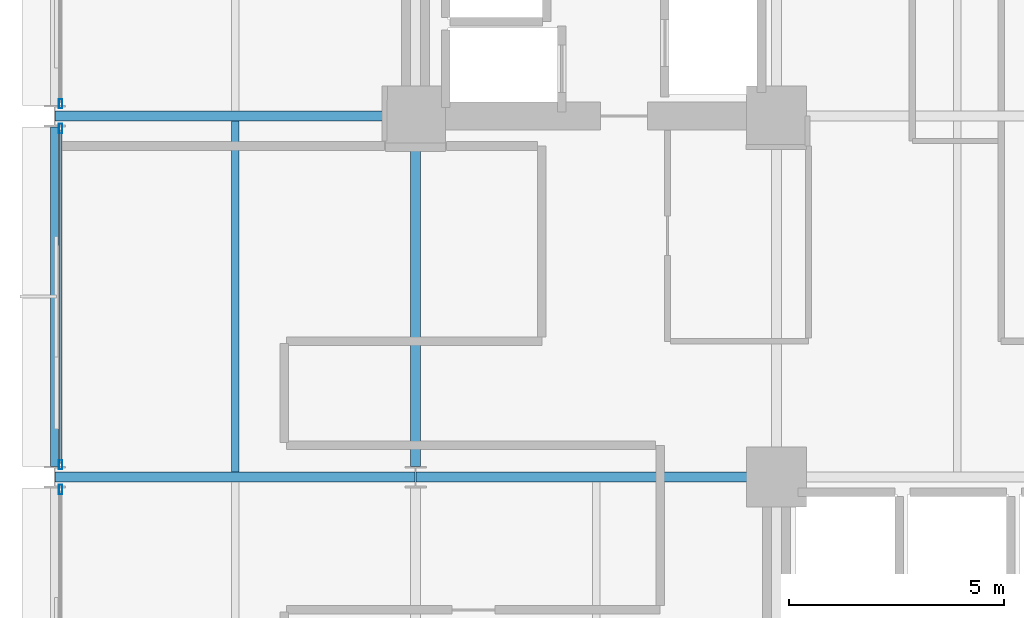
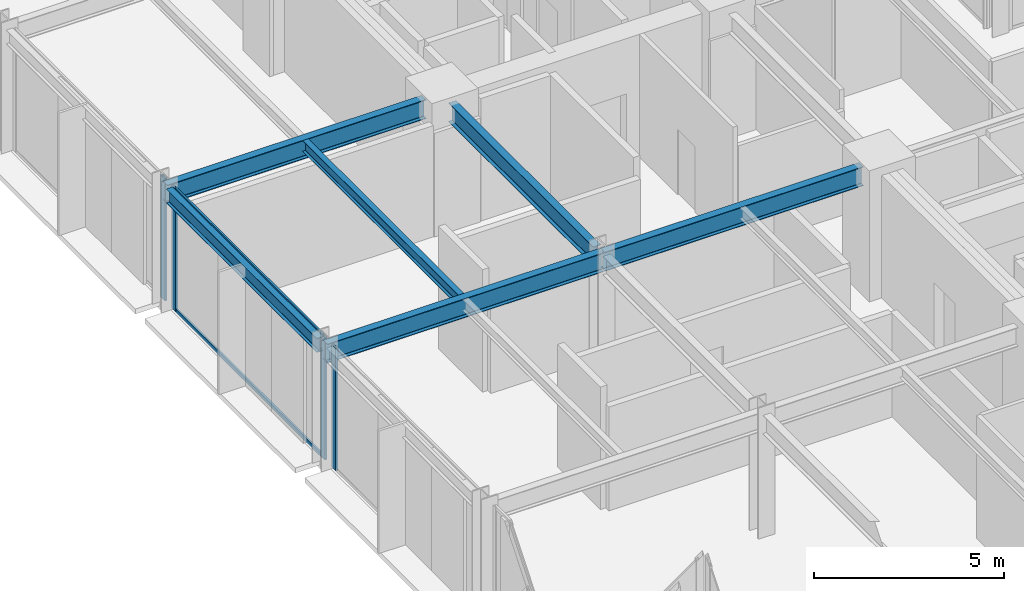
# One storey, part 8 of 30: 6 beams, 6 members, 3 elements without a shape of their own.
"""IFC4 building model written with IfcOpenShell, lengths in metres."""

from ifc_helpers import new_model, si_unit, direction, frame, origin, origin_2d, place, context, subcontext, project, spatial, hollow_rectangle, i_section, extrude, material, layer, layer_set, material_profile, profile_set, type_object, element, aggregate, save


model = new_model("IFC4")

# Units and contexts
model_context = context("Model", 3, precision=1e-05, world=origin(), true_north=direction((0.0, 1.0)))
body_context = subcontext(model_context, "Body", "Model", "MODEL_VIEW")
ifc_project = project(units=[si_unit("LENGTHUNIT", "METRE"), si_unit("AREAUNIT", "SQUARE_METRE"), si_unit("VOLUMEUNIT", "CUBIC_METRE"), si_unit("PLANEANGLEUNIT", "RADIAN"), si_unit("MASSUNIT", "GRAM", prefix="KILO")], contexts=[model_context])

# Site, building, storey
site_placement = place(None, origin())
site = spatial("IfcSite", under=ifc_project, at=site_placement, CompositionType="ELEMENT")
building_placement = place(site_placement, origin())
building = spatial("IfcBuilding", under=site, at=building_placement, Name="Nerrivon Quay Data Exchange", CompositionType="ELEMENT")
storey_placement = place(building_placement, frame((0.0, 0.0, 62.60009765625)))
storey = spatial("IfcBuildingStorey", under=building, at=storey_placement, Name="L14", CompositionType="ELEMENT", Elevation=62.60009765625)

# Beams
ifc_material_1 = material(Name="Steel Grade 350", Category="steel")
ifc_material_profile_1 = material_profile(ifc_material_1, i_section(OverallWidth=0.22900390625, OverallDepth=0.612060546875, WebThickness=0.011962890625, FlangeThickness=0.01953125, FilletRadius=0.013916015625, at=origin_2d()), Name="610UB125")
ifc_profile_set_1 = profile_set([ifc_material_profile_1], Name="Steel Grade 350")
beam_type_1 = type_object("IfcBeamType", Name="BM-G1-610UB125", PredefinedType="BEAM", material=ifc_profile_set_1)
beam_1_placement = place(storey_placement, frame((0.013916015625, 16.800048828125, 3.618896484375), z_axis=(1.0, 0.0, 0.0), x_axis=(0.0, 1.0, 0.0)))
element("IfcBeam", 1, at=beam_1_placement, inside=storey, type_object=beam_type_1, Name="L14 EW Girder Y=16.8 (0.0..8.4)", PredefinedType="BEAM", context=body_context, shape_type="SweptSolid", body=[
    extrude(i_section(OverallWidth=0.22900390625, OverallDepth=0.612060546875, WebThickness=0.011962890625, FlangeThickness=0.01953125, FilletRadius=0.013916015625, at=origin_2d()), origin(), (0.0, 0.0, 1.0), 8.3720703125),
])
beam_2_placement = place(storey_placement, frame((8.4140625, 16.800048828125, 3.618896484375), z_axis=(1.0, 0.0, 0.0), x_axis=(0.0, 1.0, 0.0)))
element("IfcBeam", 2, at=beam_2_placement, inside=storey, type_object=beam_type_1, Name="L14 EW Girder Y=16.8 (8.4..16.8)", PredefinedType="BEAM", context=body_context, shape_type="SweptSolid", body=[
    extrude(i_section(OverallWidth=0.22900390625, OverallDepth=0.612060546875, WebThickness=0.011962890625, FlangeThickness=0.01953125, FilletRadius=0.013916015625, at=origin_2d()), origin(), (0.0, 0.0, 1.0), 7.845947265625),
])
beam_3_placement = place(storey_placement, frame((0.013916015625, 25.199951171875, 3.618896484375), z_axis=(1.0, 0.0, 0.0), x_axis=(0.0, 1.0, 0.0)))
element("IfcBeam", 3, at=beam_3_placement, inside=storey, type_object=beam_type_1, Name="L14 EW Girder Y=25.2 (0.0..8.4)", PredefinedType="BEAM", context=body_context, shape_type="SweptSolid", body=[
    extrude(i_section(OverallWidth=0.22900390625, OverallDepth=0.612060546875, WebThickness=0.011962890625, FlangeThickness=0.01953125, FilletRadius=0.013916015625, at=origin_2d()), origin(), (0.0, 0.0, 1.0), 7.84619140625),
])
ifc_material_profile_2 = material_profile(ifc_material_1, i_section(OverallWidth=0.22802734375, OverallDepth=0.60205078125, WebThickness=0.010498046875, FlangeThickness=0.014892578125, FilletRadius=0.013916015625, at=origin_2d()), Name="610UB101")
ifc_profile_set_2 = profile_set([ifc_material_profile_2], Name="Steel Grade 350")
beam_type_2 = type_object("IfcBeamType", Name="BM-G2-610UB101", PredefinedType="BEAM", material=ifc_profile_set_2)
beam_4_placement = place(storey_placement, frame((8.39990234375, 17.050048828125, 3.6240234375), z_axis=(0.0, 1.0, 0.0), x_axis=(-1.0, 0.0, 0.0)))
element("IfcBeam", 4, at=beam_4_placement, inside=storey, type_object=beam_type_2, Name="L14 NS Girder X=8.4 (16.8..25.2)", PredefinedType="BEAM", context=body_context, shape_type="SweptSolid", body=[
    extrude(i_section(OverallWidth=0.22802734375, OverallDepth=0.60205078125, WebThickness=0.010498046875, FlangeThickness=0.014892578125, FilletRadius=0.013916015625, at=origin_2d()), origin(), (0.0, 0.0, 1.0), 7.60986328125),
])
ifc_material_profile_3 = material_profile(ifc_material_1, i_section(OverallWidth=0.172119140625, OverallDepth=0.35888671875, WebThickness=0.008056640625, FlangeThickness=0.012939453125, FilletRadius=0.011474609375, at=origin_2d()), Name="360UB56.7")
ifc_profile_set_3 = profile_set([ifc_material_profile_3], Name="Steel Grade 350")
beam_type_3 = type_object("IfcBeamType", Name="BM-J3-360UB57", PredefinedType="JOIST", material=ifc_profile_set_3)
beam_5_placement = place(storey_placement, frame((4.199951171875, 16.91455078125, 3.745361328125), z_axis=(0.0, 1.0, 0.0), x_axis=(-1.0, 0.0, 0.0)))
element("IfcBeam", 5, at=beam_5_placement, inside=storey, type_object=beam_type_3, Name="L14 Secondary Joist X=4.2 (16.8..25.2)", PredefinedType="JOIST", context=body_context, shape_type="SweptSolid", body=[
    extrude(i_section(OverallWidth=0.172119140625, OverallDepth=0.35888671875, WebThickness=0.008056640625, FlangeThickness=0.012939453125, FilletRadius=0.011474609375, at=origin_2d()), origin(), (0.0, 0.0, 1.0), 8.1708984375),
])
ifc_material_profile_4 = material_profile(ifc_material_1, i_section(OverallWidth=0.18994140625, OverallDepth=0.4541015625, WebThickness=0.008544921875, FlangeThickness=0.0126953125, FilletRadius=0.011474609375, at=origin_2d()), Name="460UB67.1")
ifc_profile_set_4 = profile_set([ifc_material_profile_4], Name="Steel Grade 350")
beam_type_4 = type_object("IfcBeamType", Name="BM-SP1-460UB67", PredefinedType="SPANDREL", material=ifc_profile_set_4)
beam_6_placement = place(storey_placement, frame((0.0, 17.050048828125, 3.697998046875), z_axis=(0.0, 1.0, 0.0), x_axis=(-1.0, 0.0, 0.0)))
element("IfcBeam", 6, at=beam_6_placement, inside=storey, type_object=beam_type_4, Name="L14 NS Girder X=0.0 (16.8..25.2)", PredefinedType="SPANDREL", context=body_context, shape_type="SweptSolid", body=[
    extrude(i_section(OverallWidth=0.18994140625, OverallDepth=0.4541015625, WebThickness=0.008544921875, FlangeThickness=0.0126953125, FilletRadius=0.011474609375, at=origin_2d()), origin(), (0.0, 0.0, 1.0), 7.89990234375),
])

# Curtain wall, member
ifc_material_2 = material(Name="Anodised aluminium 6063-T6", Category="aluminium")
ifc_layer = layer(ifc_material_2, 0.219970703125)
ifc_layer_set = layer_set([ifc_layer], Name="Anodised aluminium 6063-T6")
curtain_wall_type = type_object("IfcCurtainWallType", Name="CW-SYS-01", PredefinedType="NOTDEFINED", material=ifc_layer_set)
curtain_wall_1_placement = place(storey_placement, origin())
curtain_wall_1 = element("IfcCurtainWall", 7, at=curtain_wall_1_placement, inside=storey, type_object=curtain_wall_type, Name="L14 Unitised Curtain Wall 18", PredefinedType="NOTDEFINED")
ifc_material_profile_5 = material_profile(ifc_material_2, hollow_rectangle(XDim=0.074951171875, YDim=0.219970703125, WallThickness=0.00390625, at=origin_2d()), Name="ALU-MULL-220x75")
ifc_profile_set_5 = profile_set([ifc_material_profile_5], Name="Anodised aluminium 6063-T6")
member_type_1 = type_object("IfcMemberType", Name="CWM-220x75", PredefinedType="MULLION", material=ifc_profile_set_5)
member_1_placement = place(storey_placement, frame((0.139892578125, 16.512451171875, 0.0), z_axis=(0.0, 0.0, 1.0), x_axis=(-1.0, 0.0, 0.0)))
member_1 = element("IfcMember", 8, at=member_1_placement, type_object=member_type_1, Name="CW01 mullion 2", PredefinedType="MULLION", context=body_context, shape_type="SweptSolid", body=[
    extrude(hollow_rectangle(XDim=0.074951171875, YDim=0.219970703125, WallThickness=0.00390625, at=origin_2d()), origin(), (0.0, 0.0, 1.0), 3.9248046875),
])
aggregate(curtain_wall_1, [member_1])

# Curtain wall, members
curtain_wall_2_placement = place(storey_placement, origin())
curtain_wall_2 = element("IfcCurtainWall", 9, at=curtain_wall_2_placement, inside=storey, type_object=curtain_wall_type, Name="L14 Unitised Curtain Wall 19", PredefinedType="NOTDEFINED")
member_2_placement = place(storey_placement, frame((0.139892578125, 17.08740234375, 0.0), z_axis=(0.0, 0.0, 1.0), x_axis=(-1.0, 0.0, 0.0)))
member_2 = element("IfcMember", 10, at=member_2_placement, type_object=member_type_1, Name="CW01 mullion 1", PredefinedType="MULLION", context=body_context, shape_type="SweptSolid", body=[
    extrude(hollow_rectangle(XDim=0.074951171875, YDim=0.219970703125, WallThickness=0.00390625, at=origin_2d()), origin(), (0.0, 0.0, 1.0), 3.9248046875),
])
member_3_placement = place(storey_placement, frame((0.139892578125, 24.91259765625, 0.0), z_axis=(0.0, 0.0, 1.0), x_axis=(-1.0, 0.0, 0.0)))
member_3 = element("IfcMember", 11, at=member_3_placement, type_object=member_type_1, Name="CW01 mullion 2", PredefinedType="MULLION", context=body_context, shape_type="SweptSolid", body=[
    extrude(hollow_rectangle(XDim=0.074951171875, YDim=0.219970703125, WallThickness=0.00390625, at=origin_2d()), origin(), (0.0, 0.0, 1.0), 3.9248046875),
])

# Curtain wall, member
curtain_wall_3_placement = place(storey_placement, origin())
curtain_wall_3 = element("IfcCurtainWall", 12, at=curtain_wall_3_placement, inside=storey, type_object=curtain_wall_type, Name="L14 Unitised Curtain Wall 20", PredefinedType="NOTDEFINED")
member_4_placement = place(storey_placement, frame((0.139892578125, 25.487548828125, 0.0), z_axis=(0.0, 0.0, 1.0), x_axis=(-1.0, 0.0, 0.0)))
member_4 = element("IfcMember", 13, at=member_4_placement, type_object=member_type_1, Name="CW01 mullion 1", PredefinedType="MULLION", context=body_context, shape_type="SweptSolid", body=[
    extrude(hollow_rectangle(XDim=0.074951171875, YDim=0.219970703125, WallThickness=0.00390625, at=origin_2d()), origin(), (0.0, 0.0, 1.0), 3.9248046875),
])
aggregate(curtain_wall_3, [member_4])

# Member
ifc_material_profile_6 = material_profile(ifc_material_2, hollow_rectangle(XDim=0.06005859375, YDim=0.1201171875, WallThickness=0.003173828125, at=origin_2d()), Name="ALU-TRAN-120x60")
ifc_profile_set_6 = profile_set([ifc_material_profile_6], Name="Anodised aluminium 6063-T6")
member_type_2 = type_object("IfcMemberType", Name="CWT-120x60", PredefinedType="USERDEFINED", material=ifc_profile_set_6)
member_5_placement = place(storey_placement, frame((0.139892578125, 17.125, 0.032470703125), z_axis=(0.0, 1.0, 0.0), x_axis=(-1.0, 0.0, 0.0)))
member_5 = element("IfcMember", 14, at=member_5_placement, type_object=member_type_2, Name="CW01 transom 1.1", ObjectType="TRANSOM", PredefinedType="USERDEFINED", context=body_context, shape_type="SweptSolid", body=[
    extrude(hollow_rectangle(XDim=0.06005859375, YDim=0.1201171875, WallThickness=0.003173828125, at=origin_2d()), origin(), (0.0, 0.0, 1.0), 7.75),
])

member_6_placement = place(storey_placement, frame((0.139892578125, 17.125, 3.892333984375), z_axis=(0.0, 1.0, 0.0), x_axis=(-1.0, 0.0, 0.0)))
member_6 = element("IfcMember", 15, at=member_6_placement, type_object=member_type_2, Name="CW01 transom 1.2", ObjectType="TRANSOM", PredefinedType="USERDEFINED", context=body_context, shape_type="SweptSolid", body=[
    extrude(hollow_rectangle(XDim=0.06005859375, YDim=0.1201171875, WallThickness=0.003173828125, at=origin_2d()), origin(), (0.0, 0.0, 1.0), 7.75),
])

aggregate(curtain_wall_2, [member_2, member_3, member_5, member_6])

save(model, "model.ifc")
